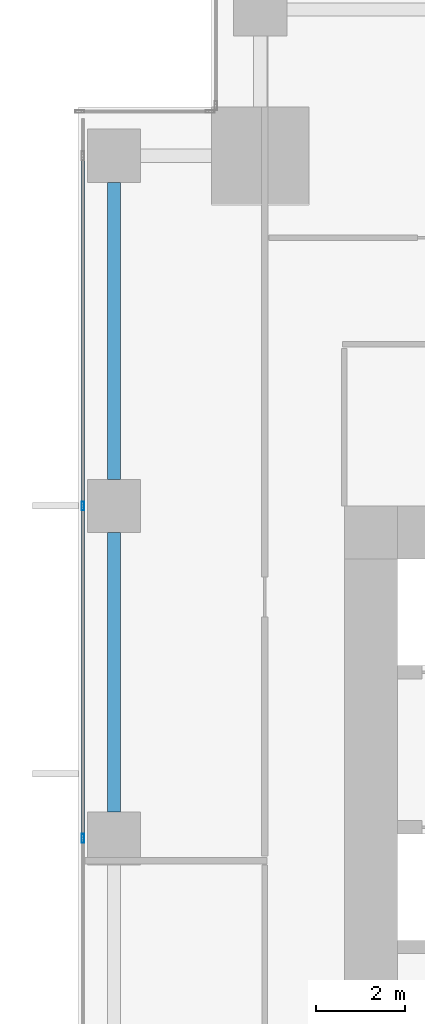
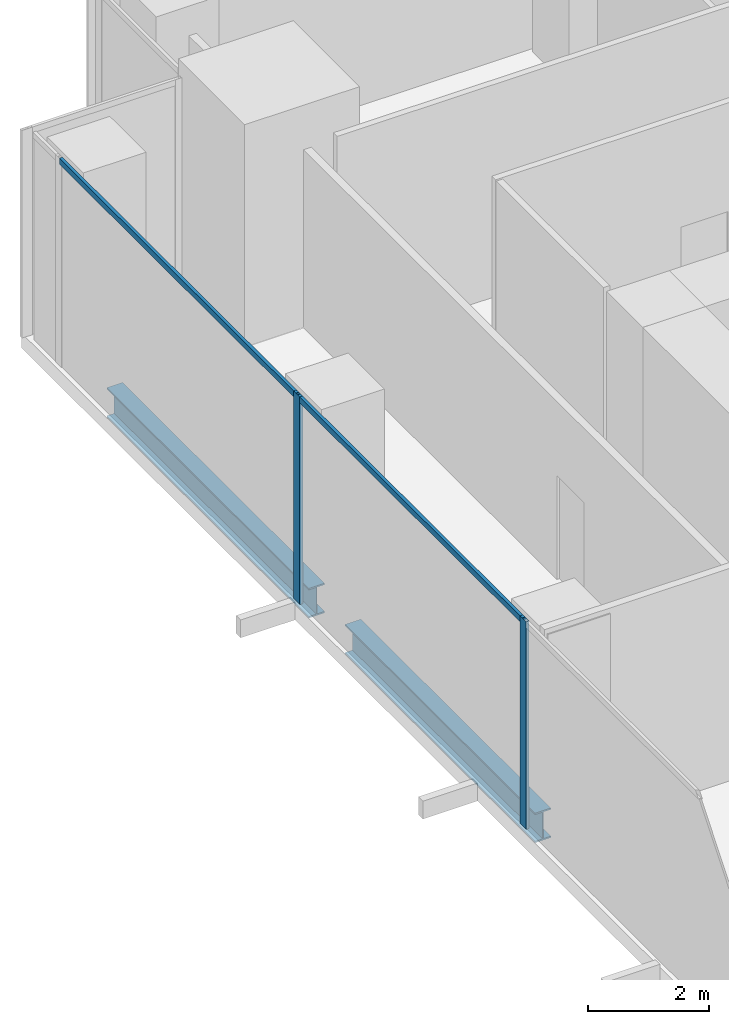
# One storey, part 12 of 32: 4 members, 2 beams, 1 element without a shape of its own.
"""IFC4 building model written with IfcOpenShell, lengths in metres."""

from ifc_helpers import new_model, si_unit, direction, frame, origin, origin_2d, place, context, subcontext, project, spatial, hollow_rectangle, i_section, extrude, source, transform, mapped, material, material_profile, profile_set, type_object, element, aggregate, save


model = new_model("IFC4")

# Units and contexts
model_context = context("Model", 3, precision=1e-05, world=origin(), true_north=direction((0.0, 1.0)))
body_context = subcontext(model_context, "Body", "Model", "MODEL_VIEW")
ifc_project = project(units=[si_unit("LENGTHUNIT", "METRE"), si_unit("AREAUNIT", "SQUARE_METRE"), si_unit("VOLUMEUNIT", "CUBIC_METRE"), si_unit("PLANEANGLEUNIT", "RADIAN"), si_unit("MASSUNIT", "GRAM", prefix="KILO")], contexts=[model_context])

# Site, building, storey
site_placement = place(None, origin())
site = spatial("IfcSite", under=ifc_project, at=site_placement, CompositionType="ELEMENT")
building_placement = place(site_placement, origin())
building = spatial("IfcBuilding", under=site, at=building_placement, Name="Khomas Fold Tower", CompositionType="ELEMENT")
storey_placement = place(building_placement, frame((0.0, 0.0, 42.0)))
storey = spatial("IfcBuildingStorey", under=building, at=storey_placement, Name="L08", CompositionType="ELEMENT", Elevation=42.0)

# Beams
ifc_material_1 = material(Name="Steel S355", Category="steel")
ifc_material_profile_1 = material_profile(ifc_material_1, i_section(OverallWidth=0.300048828125, OverallDepth=0.60009765625, WebThickness=0.015380859375, FlangeThickness=0.030029296875, at=origin_2d()), Name="HE 600 B")
ifc_profile_set_1 = profile_set([ifc_material_profile_1], Name="Steel S355")
beam_type = type_object("IfcBeamType", Name="HE 600 B spandrel SB1", PredefinedType="SPANDREL", material=ifc_profile_set_1)
shared_shape_1 = source(origin(), body_context, "Body", "SweptSolid", [
    extrude(i_section(OverallWidth=0.300048828125, OverallDepth=0.60009765625, WebThickness=0.015380859375, FlangeThickness=0.030029296875, at=origin_2d()), origin(), (0.0, 0.0, 1.0), 6.699951171875),
])
beam_1_placement = place(storey_placement, frame((0.800048828125, 42.60009765625, -0.60009765625), z_axis=(0.0, 1.0, 0.0), x_axis=(-1.0, 0.0, 0.0)))
element("IfcBeam", 1, at=beam_1_placement, inside=storey, type_object=beam_type, Name="SB1", PredefinedType="SPANDREL", context=body_context, shape_type="MappedRepresentation", body=[
    mapped(shared_shape_1, transform((0.0, 0.0, 0.0))),
])
shared_shape_2 = source(origin(), body_context, "Body", "SweptSolid", [
    extrude(i_section(OverallWidth=0.300048828125, OverallDepth=0.60009765625, WebThickness=0.015380859375, FlangeThickness=0.030029296875, at=origin_2d()), origin(), (0.0, 0.0, 1.0), 6.2998046875),
])
beam_2_placement = place(storey_placement, frame((0.800048828125, 35.10009765625, -0.60009765625), z_axis=(0.0, 1.0, 0.0), x_axis=(-1.0, 0.0, 0.0)))
element("IfcBeam", 2, at=beam_2_placement, inside=storey, type_object=beam_type, Name="SB1", PredefinedType="SPANDREL", context=body_context, shape_type="MappedRepresentation", body=[
    mapped(shared_shape_2, transform((0.0, 0.0, 0.0))),
])

# Curtain wall, members
ifc_material_2 = material(Name="Aluminium framed double glazing", Category="aluminium")
curtain_wall_type = type_object("IfcCurtainWallType", Name="SK-Unitised clear-glass wall, growing floors CW1", PredefinedType="NOTDEFINED", material=ifc_material_2)
curtain_wall_placement = place(storey_placement, origin())
curtain_wall = element("IfcCurtainWall", 3, at=curtain_wall_placement, inside=storey, type_object=curtain_wall_type, Name="CW1 run L08 09-0", PredefinedType="NOTDEFINED")
ifc_material_3 = material(Name="Aluminium", Category="aluminium")
ifc_material_profile_2 = material_profile(ifc_material_3, hollow_rectangle(XDim=0.06005859375, YDim=0.1201171875, WallThickness=0.00390625, at=origin_2d()), Name="SK-Unitised clear-glass wall, growing floors transom CW1-T")
ifc_profile_set_2 = profile_set([ifc_material_profile_2], Name="Aluminium")
member_type_1 = type_object("IfcMemberType", Name="SK-Unitised clear-glass wall, growing floors transom CW1-T", PredefinedType="USERDEFINED", material=ifc_profile_set_2)
shared_shape_3 = source(origin(), body_context, "Body", "SweptSolid", [
    extrude(hollow_rectangle(XDim=0.06005859375, YDim=0.1201171875, WallThickness=0.00390625, at=origin_2d()), origin(), (0.0, 0.0, 1.0), 7.840087890625),
])
member_1_placement = place(storey_placement, frame((0.10009765625, 49.8701171875, 4.139892578125), z_axis=(0.0, -1.0, 0.0), x_axis=(1.0, 0.0, 0.0)))
member_1 = element("IfcMember", 4, at=member_1_placement, type_object=member_type_1, Name="CW1 transom 2", ObjectType="TRANSOM", PredefinedType="USERDEFINED", context=body_context, shape_type="MappedRepresentation", body=[
    mapped(shared_shape_3, transform((0.0, 0.0, 0.0))),
])
shared_shape_4 = source(origin(), body_context, "Body", "SweptSolid", [
    extrude(hollow_rectangle(XDim=0.06005859375, YDim=0.1201171875, WallThickness=0.00390625, at=origin_2d()), origin(), (0.0, 0.0, 1.0), 7.43994140625),
])
member_2_placement = place(storey_placement, frame((0.10009765625, 41.969970703125, 4.139892578125), z_axis=(0.0, -1.0, 0.0), x_axis=(1.0, 0.0, 0.0)))
member_2 = element("IfcMember", 5, at=member_2_placement, type_object=member_type_1, Name="CW1 transom 3", ObjectType="TRANSOM", PredefinedType="USERDEFINED", context=body_context, shape_type="MappedRepresentation", body=[
    mapped(shared_shape_4, transform((0.0, 0.0, 0.0))),
])
ifc_material_4 = material(Name="Aluminium", Category="aluminium")
ifc_material_profile_3 = material_profile(ifc_material_4, hollow_rectangle(XDim=0.06005859375, YDim=0.199951171875, WallThickness=0.00390625, at=origin_2d()), Name="SK-Unitised clear-glass wall, growing floors mullion CW1-M")
ifc_profile_set_3 = profile_set([ifc_material_profile_3], Name="Aluminium")
member_type_2 = type_object("IfcMemberType", Name="SK-Unitised clear-glass wall, growing floors mullion CW1-M", PredefinedType="MULLION", material=ifc_profile_set_3)
shared_shape_5 = source(origin(), body_context, "Body", "SweptSolid", [
    extrude(hollow_rectangle(XDim=0.06005859375, YDim=0.199951171875, WallThickness=0.00390625, at=origin_2d()), origin(), (0.0, 0.0, 1.0), 4.199951171875),
])
member_3_placement = place(storey_placement, frame((0.10009765625, 42.0, 0.0), z_axis=(0.0, 0.0, 1.0), x_axis=(1.0, 0.0, 0.0)))
member_3 = element("IfcMember", 6, at=member_3_placement, type_object=member_type_2, Name="CW1 mullion 3", PredefinedType="MULLION", context=body_context, shape_type="MappedRepresentation", body=[
    mapped(shared_shape_5, transform((0.0, 0.0, 0.0))),
])
member_4_placement = place(storey_placement, frame((0.10009765625, 34.5, 0.0), z_axis=(0.0, 0.0, 1.0), x_axis=(1.0, 0.0, 0.0)))
member_4 = element("IfcMember", 7, at=member_4_placement, type_object=member_type_2, Name="CW1 mullion 4", PredefinedType="MULLION", context=body_context, shape_type="MappedRepresentation", body=[
    mapped(shared_shape_5, transform((0.0, 0.0, 0.0))),
])
aggregate(curtain_wall, [member_3, member_4, member_1, member_2])

save(model, "model.ifc")
